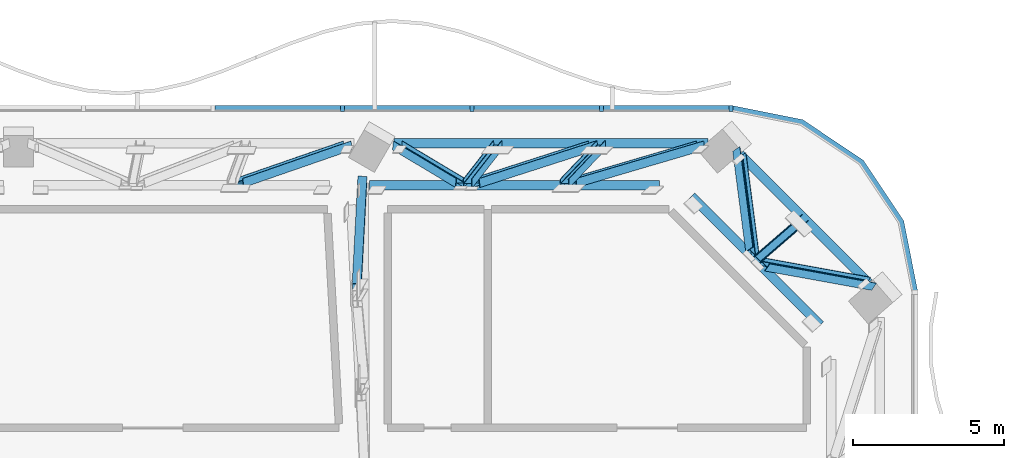
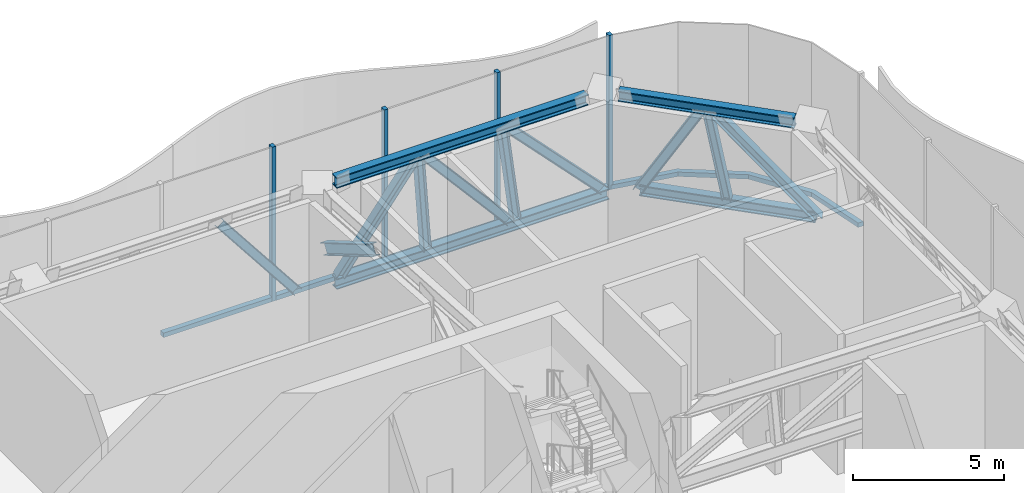
# One storey, part 8 of 29: 23 members, 2 elements without a shape of their own.
"""IFC4 building model written with IfcOpenShell, lengths in metres."""

from ifc_helpers import new_model, si_unit, direction, frame, origin, origin_2d, place, context, subcontext, project, spatial, polyline, rectangle, i_section, outline, extrude, material, material_profile, profile_set, type_object, element, aggregate, save


model = new_model("IFC4")

# Units and contexts
model_context = context("Model", 3, precision=1e-05, world=origin(), true_north=direction((0.0, 1.0)))
body_context = subcontext(model_context, "Body", "Model", "MODEL_VIEW")
ifc_project = project(units=[si_unit("LENGTHUNIT", "METRE"), si_unit("AREAUNIT", "SQUARE_METRE"), si_unit("VOLUMEUNIT", "CUBIC_METRE"), si_unit("PLANEANGLEUNIT", "RADIAN"), si_unit("MASSUNIT", "GRAM", prefix="KILO")], contexts=[model_context])

# Site, building, storey
site_placement = place(None, origin())
site = spatial("IfcSite", under=ifc_project, at=site_placement, CompositionType="ELEMENT")
building_placement = place(site_placement, origin())
building = spatial("IfcBuilding", under=site, at=building_placement, Name="Mopane Tessera Tower", CompositionType="ELEMENT")
storey_placement = place(building_placement, frame((0.0, 0.0, 315.39990234375)))
storey = spatial("IfcBuildingStorey", under=building, at=storey_placement, Name="L69", CompositionType="ELEMENT", Elevation=315.39990234375)

# Curtain wall, members
ifc_material_1 = material(Name="Aluminium frame", Category="aluminium")
curtain_wall_type = type_object("IfcCurtainWallType", Name="Plant floor unitised wall", PredefinedType="NOTDEFINED", material=ifc_material_1)
curtain_wall_1_placement = place(storey_placement, origin())
curtain_wall_1 = element("IfcCurtainWall", 1, at=curtain_wall_1_placement, inside=storey, type_object=curtain_wall_type, Name="e:cw:L69:N:0", PredefinedType="NOTDEFINED")
ifc_material_2 = material(Name="Aluminium frame", Category="aluminium")
ifc_material_profile_1 = material_profile(ifc_material_2, rectangle(XDim=0.139892578125, YDim=0.199951171875, at=origin_2d()))
ifc_profile_set_1 = profile_set([ifc_material_profile_1], Name="Aluminium frame")
member_type_1 = type_object("IfcMemberType", Name="Aluminium mullion 140 x 200", PredefinedType="MULLION", material=ifc_profile_set_1)
member_1_placement = place(storey_placement, frame((23.64990234375, 26.10009765625, -0.599853515625), z_axis=(0.0, 0.0, 1.0), x_axis=(-1.0, 0.0, 0.0)))
member_1 = element("IfcMember", 2, at=member_1_placement, type_object=member_type_1, Name="e:cw:L69:N:0:mu0", PredefinedType="MULLION", context=body_context, shape_type="SweptSolid", body=[
    extrude(rectangle(XDim=0.139892578125, YDim=0.199951171875, at=origin_2d()), origin(), (0.0, 0.0, 1.0), 6.25),
])
member_2_placement = place(storey_placement, frame((19.35009765625, 26.10009765625, -0.599853515625), z_axis=(0.0, 0.0, 1.0), x_axis=(-1.0, 0.0, 0.0)))
member_2 = element("IfcMember", 3, at=member_2_placement, type_object=member_type_1, Name="e:cw:L69:N:0:mu1", PredefinedType="MULLION", context=body_context, shape_type="SweptSolid", body=[
    extrude(rectangle(XDim=0.139892578125, YDim=0.199951171875, at=origin_2d()), origin(), (0.0, 0.0, 1.0), 6.25),
])
member_3_placement = place(storey_placement, frame((15.050048828125, 26.10009765625, -0.599853515625), z_axis=(0.0, 0.0, 1.0), x_axis=(-1.0, 0.0, 0.0)))
member_3 = element("IfcMember", 4, at=member_3_placement, type_object=member_type_1, Name="e:cw:L69:N:0:mu2", PredefinedType="MULLION", context=body_context, shape_type="SweptSolid", body=[
    extrude(rectangle(XDim=0.139892578125, YDim=0.199951171875, at=origin_2d()), origin(), (0.0, 0.0, 1.0), 6.25),
])
member_4_placement = place(storey_placement, frame((10.75, 26.10009765625, -0.599853515625), z_axis=(0.0, 0.0, 1.0), x_axis=(-1.0, 0.0, 0.0)))
member_4 = element("IfcMember", 5, at=member_4_placement, type_object=member_type_1, Name="e:cw:L69:N:0:mu3", PredefinedType="MULLION", context=body_context, shape_type="SweptSolid", body=[
    extrude(rectangle(XDim=0.139892578125, YDim=0.199951171875, at=origin_2d()), origin(), (0.0, 0.0, 1.0), 6.25),
])

# Curtain wall, member
curtain_wall_2_placement = place(storey_placement, origin())
curtain_wall_2 = element("IfcCurtainWall", 6, at=curtain_wall_2_placement, inside=storey, type_object=curtain_wall_type, Name="e:cw:L69:CE", PredefinedType="NOTDEFINED")
ifc_material_3 = material(Name="Aluminium frame", Category="aluminium")
ifc_material_profile_2 = material_profile(ifc_material_3, rectangle(XDim=0.199951171875, YDim=0.179931640625, at=origin_2d()))
ifc_profile_set_2 = profile_set([ifc_material_profile_2], Name="Aluminium frame")
member_type_2 = type_object("IfcMemberType", Name="Aluminium transom 200 x 180", PredefinedType="USERDEFINED", material=ifc_profile_set_2)
member_5_placement = place(storey_placement, frame((0.0, 0.0, -0.599853515625)))
member_5 = element("IfcMember", 7, at=member_5_placement, type_object=member_type_2, Name="e:cw:L69:CE:tr", ObjectType="TRANSOM", PredefinedType="USERDEFINED", context=body_context, shape_type="SweptSolid", body=[
    extrude(outline(polyline([(29.64990234375, 20.0), (29.193359375, 22.296142578125), (27.892578125, 24.24267578125), (25.946044921875, 25.543212890625), (23.64990234375, 26.0), (23.64990234375, 26.199951171875), (26.022705078125, 25.72802734375), (28.0341796875, 24.384033203125), (29.378173828125, 22.37255859375), (29.85009765625, 20.0), (29.64990234375, 20.0)])), origin(), (0.0, 0.0, 1.0), 0.179931640625),
])
aggregate(curtain_wall_2, [member_5])

# Member
member_6_placement = place(storey_placement, frame((23.580078125, 26.10009765625, -0.510009765625), z_axis=(-1.0, 0.0, 0.0), x_axis=(0.0, -1.0, 0.0)))
member_6 = element("IfcMember", 8, at=member_6_placement, type_object=member_type_2, Name="e:cw:L69:N:0:tr0", ObjectType="TRANSOM", PredefinedType="USERDEFINED", context=body_context, shape_type="SweptSolid", body=[
    extrude(rectangle(XDim=0.199951171875, YDim=0.179931640625, at=origin_2d()), origin(), (0.0, 0.0, 1.0), 4.16015625),
])

member_7_placement = place(storey_placement, frame((19.280029296875, 26.10009765625, -0.510009765625), z_axis=(-1.0, 0.0, 0.0), x_axis=(0.0, -1.0, 0.0)))
member_7 = element("IfcMember", 9, at=member_7_placement, type_object=member_type_2, Name="e:cw:L69:N:0:tr1", ObjectType="TRANSOM", PredefinedType="USERDEFINED", context=body_context, shape_type="SweptSolid", body=[
    extrude(rectangle(XDim=0.199951171875, YDim=0.179931640625, at=origin_2d()), origin(), (0.0, 0.0, 1.0), 4.159912109375),
])

member_8_placement = place(storey_placement, frame((14.97998046875, 26.10009765625, -0.510009765625), z_axis=(-1.0, 0.0, 0.0), x_axis=(0.0, -1.0, 0.0)))
member_8 = element("IfcMember", 10, at=member_8_placement, type_object=member_type_2, Name="e:cw:L69:N:0:tr2", ObjectType="TRANSOM", PredefinedType="USERDEFINED", context=body_context, shape_type="SweptSolid", body=[
    extrude(rectangle(XDim=0.199951171875, YDim=0.179931640625, at=origin_2d()), origin(), (0.0, 0.0, 1.0), 4.159912109375),
])

member_9_placement = place(storey_placement, frame((10.679931640625, 26.10009765625, -0.510009765625), z_axis=(-1.0, 0.0, 0.0), x_axis=(0.0, -1.0, 0.0)))
member_9 = element("IfcMember", 11, at=member_9_placement, type_object=member_type_2, Name="e:cw:L69:N:0:tr3", ObjectType="TRANSOM", PredefinedType="USERDEFINED", context=body_context, shape_type="SweptSolid", body=[
    extrude(rectangle(XDim=0.199951171875, YDim=0.179931640625, at=origin_2d()), origin(), (0.0, 0.0, 1.0), 4.159912109375),
])

aggregate(curtain_wall_1, [member_1, member_2, member_3, member_4, member_6, member_7, member_8, member_9])

# Members
ifc_material_4 = material(Name="Structural steel S460", Category="steel")
ifc_material_profile_3 = material_profile(ifc_material_4, i_section(OverallWidth=0.306884765625, OverallDepth=0.431884765625, WebThickness=0.02099609375, FlangeThickness=0.0400390625, FilletRadius=0.027099609375, at=origin_2d()))
ifc_profile_set_3 = profile_set([ifc_material_profile_3], Name="Structural steel S460")
member_type_3 = type_object("IfcMemberType", Name="Belt truss chord HE 400 M", PredefinedType="CHORD", material=ifc_profile_set_3)
member_10_placement = place(storey_placement, frame((28.221435546875, 20.304443359375, 0.216064453125), z_axis=(-0.707126967223, 0.707086594573, 0.0), x_axis=(-0.707086594573, -0.707126967223, 0.0)))
element("IfcMember", 12, at=member_10_placement, inside=storey, type_object=member_type_3, Name="Belt truss bottom chord L69 E3-N0", PredefinedType="CHORD", context=body_context, shape_type="SweptSolid", body=[
    extrude(i_section(OverallWidth=0.306884765625, OverallDepth=0.431884765625, WebThickness=0.02099609375, FlangeThickness=0.0400390625, FilletRadius=0.027099609375, at=origin_2d()), origin(), (0.0, 0.0, 1.0), 6.047119140625),
])
member_11_placement = place(storey_placement, frame((26.612548828125, 18.912841796875, 5.43408203125), z_axis=(-0.707106781187, 0.707106781187, 0.0), x_axis=(-0.707106781187, -0.707106781187, 0.0)))
element("IfcMember", 13, at=member_11_placement, inside=storey, type_object=member_type_3, Name="Belt truss top chord L69 E3-N0", PredefinedType="CHORD", context=body_context, shape_type="SweptSolid", body=[
    extrude(i_section(OverallWidth=0.306884765625, OverallDepth=0.431884765625, WebThickness=0.02099609375, FlangeThickness=0.0400390625, FilletRadius=0.027099609375, at=origin_2d()), origin(), (0.0, 0.0, 1.0), 6.04736328125),
])
member_12_placement = place(storey_placement, frame((22.886474609375, 24.9423828125, 0.216064453125), z_axis=(-1.0, 0.0, 0.0), x_axis=(0.0, -1.0, 0.0)))
element("IfcMember", 14, at=member_12_placement, inside=storey, type_object=member_type_3, Name="Belt truss bottom chord L69 N0-N1", PredefinedType="CHORD", context=body_context, shape_type="SweptSolid", body=[
    extrude(i_section(OverallWidth=0.306884765625, OverallDepth=0.431884765625, WebThickness=0.02099609375, FlangeThickness=0.0400390625, FilletRadius=0.027099609375, at=origin_2d()), origin(), (0.0, 0.0, 1.0), 10.42919921875),
])
member_13_placement = place(storey_placement, frame((21.277587890625, 23.55078125, 5.43408203125), z_axis=(-1.0, 0.0, 0.0), x_axis=(0.0, -1.0, 0.0)))
element("IfcMember", 15, at=member_13_placement, inside=storey, type_object=member_type_3, Name="Belt truss top chord L69 N0-N1", PredefinedType="CHORD", context=body_context, shape_type="SweptSolid", body=[
    extrude(i_section(OverallWidth=0.306884765625, OverallDepth=0.431884765625, WebThickness=0.02099609375, FlangeThickness=0.0400390625, FilletRadius=0.027099609375, at=origin_2d()), origin(), (0.0, 0.0, 1.0), 9.624755859375),
])
ifc_material_5 = material(Name="Structural steel S460", Category="steel")
ifc_material_profile_4 = material_profile(ifc_material_5, i_section(OverallWidth=0.300048828125, OverallDepth=0.340087890625, WebThickness=0.011962890625, FlangeThickness=0.021484375, FilletRadius=0.027099609375, at=origin_2d()))
ifc_profile_set_4 = profile_set([ifc_material_profile_4], Name="Structural steel S460")
member_type_4 = type_object("IfcMemberType", Name="Belt truss diagonal HE 340 B", PredefinedType="BRACE", material=ifc_profile_set_4)
member_14_placement = place(storey_placement, frame((28.288818359375, 20.28173828125, 0.137939453125), z_axis=(-0.571771583517, 0.103829266357, 0.813816158435), x_axis=(-0.548844879528, -0.785707474973, -0.285364787573)))
element("IfcMember", 16, at=member_14_placement, inside=storey, type_object=member_type_4, Name="Belt truss diagonal 0 L69 E3-N0", PredefinedType="BRACE", context=body_context, shape_type="SweptSolid", body=[
    extrude(i_section(OverallWidth=0.300048828125, OverallDepth=0.340087890625, WebThickness=0.011962890625, FlangeThickness=0.021484375, FilletRadius=0.027099609375, at=origin_2d()), origin(), (0.0, 0.0, 1.0), 6.18408203125),
])
member_15_placement = place(storey_placement, frame((24.3583984375, 21.318359375, 5.170654296875), z_axis=(-0.071488391257, 0.549988329124, -0.832107113143), x_axis=(-0.777153482013, -0.553649962132, -0.299172500117)))
element("IfcMember", 17, at=member_15_placement, inside=storey, type_object=member_type_4, Name="Belt truss diagonal 1 L69 E3-N0", PredefinedType="BRACE", context=body_context, shape_type="SweptSolid", body=[
    extrude(i_section(OverallWidth=0.300048828125, OverallDepth=0.340087890625, WebThickness=0.011962890625, FlangeThickness=0.021484375, FilletRadius=0.027099609375, at=origin_2d()), origin(), (0.0, 0.0, 1.0), 6.048095703125),
])
member_16_placement = place(storey_placement, frame((22.63330078125, 24.869140625, 0.4912109375), z_axis=(-0.659754288309, -0.193649960631, 0.726101901806), x_axis=(0.130233888732, -0.981070686878, -0.143315880399)))
element("IfcMember", 18, at=member_16_placement, inside=storey, type_object=member_type_4, Name="Belt truss diagonal 0 L69 N0-N1", PredefinedType="BRACE", context=body_context, shape_type="SweptSolid", body=[
    extrude(i_section(OverallWidth=0.300048828125, OverallDepth=0.340087890625, WebThickness=0.011962890625, FlangeThickness=0.021484375, FilletRadius=0.027099609375, at=origin_2d()), origin(), (0.0, 0.0, 1.0), 6.428466796875),
])
member_17_placement = place(storey_placement, frame((19.051025390625, 24.8701171875, 0.487060546875), z_axis=(-0.625296176633, -0.201096321239, 0.754032466855), x_axis=(0.128379262227, -0.9795714723, -0.154785321284)))
element("IfcMember", 19, at=member_17_placement, inside=storey, type_object=member_type_4, Name="Belt truss diagonal 1 L69 N0-N1", PredefinedType="BRACE", context=body_context, shape_type="SweptSolid", body=[
    extrude(i_section(OverallWidth=0.300048828125, OverallDepth=0.340087890625, WebThickness=0.011962890625, FlangeThickness=0.021484375, FilletRadius=0.027099609375, at=origin_2d()), origin(), (0.0, 0.0, 1.0), 6.201416015625),
])
member_18_placement = place(storey_placement, frame((14.66552734375, 23.624267578125, 5.158935546875), z_axis=(-0.396181712859, 0.23660465611, -0.887163055533), x_axis=(-0.096501171402, -0.971606008673, -0.216030756671)))
element("IfcMember", 20, at=member_18_placement, inside=storey, type_object=member_type_4, Name="Belt truss diagonal 2 L69 N0-N1", PredefinedType="BRACE", context=body_context, shape_type="SweptSolid", body=[
    extrude(i_section(OverallWidth=0.300048828125, OverallDepth=0.340087890625, WebThickness=0.011962890625, FlangeThickness=0.021484375, FilletRadius=0.027099609375, at=origin_2d()), origin(), (0.0, 0.0, 1.0), 5.261474609375),
])
member_19_placement = place(storey_placement, frame((10.918701171875, 24.86865234375, 0.492919921875), z_axis=(-0.596995763075, -0.20672104206, 0.775153191079), x_axis=(0.126136762894, -0.978399923737, -0.16377761226)))
element("IfcMember", 21, at=member_19_placement, inside=storey, type_object=member_type_4, Name="Belt truss diagonal 0 L69 N1-N2", PredefinedType="BRACE", context=body_context, shape_type="SweptSolid", body=[
    extrude(i_section(OverallWidth=0.300048828125, OverallDepth=0.340087890625, WebThickness=0.011962890625, FlangeThickness=0.021484375, FilletRadius=0.027099609375, at=origin_2d()), origin(), (0.0, 0.0, 1.0), 6.017333984375),
])
ifc_material_6 = material(Name="Structural steel S460", Category="steel")
ifc_material_profile_5 = material_profile(ifc_material_6, i_section(OverallWidth=0.300048828125, OverallDepth=0.300048828125, WebThickness=0.010986328125, FlangeThickness=0.01904296875, FilletRadius=0.027099609375, at=origin_2d()))
ifc_profile_set_5 = profile_set([ifc_material_profile_5], Name="Structural steel S460")
member_type_5 = type_object("IfcMemberType", Name="Belt truss post HE 300 B", PredefinedType="POST", material=ifc_profile_set_5)
member_20_placement = place(storey_placement, frame((26.0166015625, 22.384765625, 0.43212890625), z_axis=(-0.285464313848, -0.246964658745, 0.926022992614), x_axis=(-0.647192790355, -0.662967266619, -0.376318874764)))
element("IfcMember", 22, at=member_20_placement, inside=storey, type_object=member_type_5, Name="Belt truss post 1 L69 E3-N0", PredefinedType="POST", context=body_context, shape_type="SweptSolid", body=[
    extrude(i_section(OverallWidth=0.300048828125, OverallDepth=0.300048828125, WebThickness=0.010986328125, FlangeThickness=0.01904296875, FilletRadius=0.027099609375, at=origin_2d()), origin(), (0.0, 0.0, 1.0), 5.168212890625),
])
member_21_placement = place(storey_placement, frame((19.337646484375, 24.884765625, 0.43212890625), z_axis=(-0.237935125406, -0.250286687248, 0.93847932864), x_axis=(0.061516271204, -0.968171768925, -0.24260909759)))
element("IfcMember", 23, at=member_21_placement, inside=storey, type_object=member_type_5, Name="Belt truss post 1 L69 N0-N1", PredefinedType="POST", context=body_context, shape_type="SweptSolid", body=[
    extrude(i_section(OverallWidth=0.300048828125, OverallDepth=0.300048828125, WebThickness=0.010986328125, FlangeThickness=0.01904296875, FilletRadius=0.027099609375, at=origin_2d()), origin(), (0.0, 0.0, 1.0), 5.099609375),
])
member_22_placement = place(storey_placement, frame((15.904052734375, 24.884765625, 0.43212890625), z_axis=(-0.197480367847, -0.252612518498, 0.947200306067), x_axis=(0.051652251698, -0.967567520565, -0.247275429517)))
element("IfcMember", 24, at=member_22_placement, inside=storey, type_object=member_type_5, Name="Belt truss post 2 L69 N0-N1", PredefinedType="POST", context=body_context, shape_type="SweptSolid", body=[
    extrude(i_section(OverallWidth=0.300048828125, OverallDepth=0.300048828125, WebThickness=0.010986328125, FlangeThickness=0.01904296875, FilletRadius=0.027099609375, at=origin_2d()), origin(), (0.0, 0.0, 1.0), 5.052734375),
])
ifc_material_7 = material(Name="Structural steel S460", Category="steel")
ifc_material_profile_6 = material_profile(ifc_material_7, i_section(OverallWidth=0.300048828125, OverallDepth=0.449951171875, WebThickness=0.013916015625, FlangeThickness=0.02587890625, FilletRadius=0.027099609375, at=origin_2d()))
ifc_profile_set_6 = profile_set([ifc_material_profile_6], Name="Structural steel S460")
member_type_6 = type_object("IfcMemberType", Name="Outrigger truss diagonal HE 450 B", PredefinedType="BRACE", material=ifc_profile_set_6)
member_23_placement = place(storey_placement, frame((11.22265625, 20.162109375, 4.8662109375), z_axis=(0.045579085583, 0.854257246328, -0.517848533891), x_axis=(-0.99895815792, 0.037799532718, -0.025569396792)))
element("IfcMember", 25, at=member_23_placement, inside=storey, type_object=member_type_6, Name="Outrigger truss diagonal 2 L69 N1", PredefinedType="BRACE", context=body_context, shape_type="SweptSolid", body=[
    extrude(i_section(OverallWidth=0.300048828125, OverallDepth=0.449951171875, WebThickness=0.013916015625, FlangeThickness=0.02587890625, FilletRadius=0.027099609375, at=origin_2d()), origin(), (0.0, 0.0, 1.0), 4.177978515625),
])

save(model, "model.ifc")
